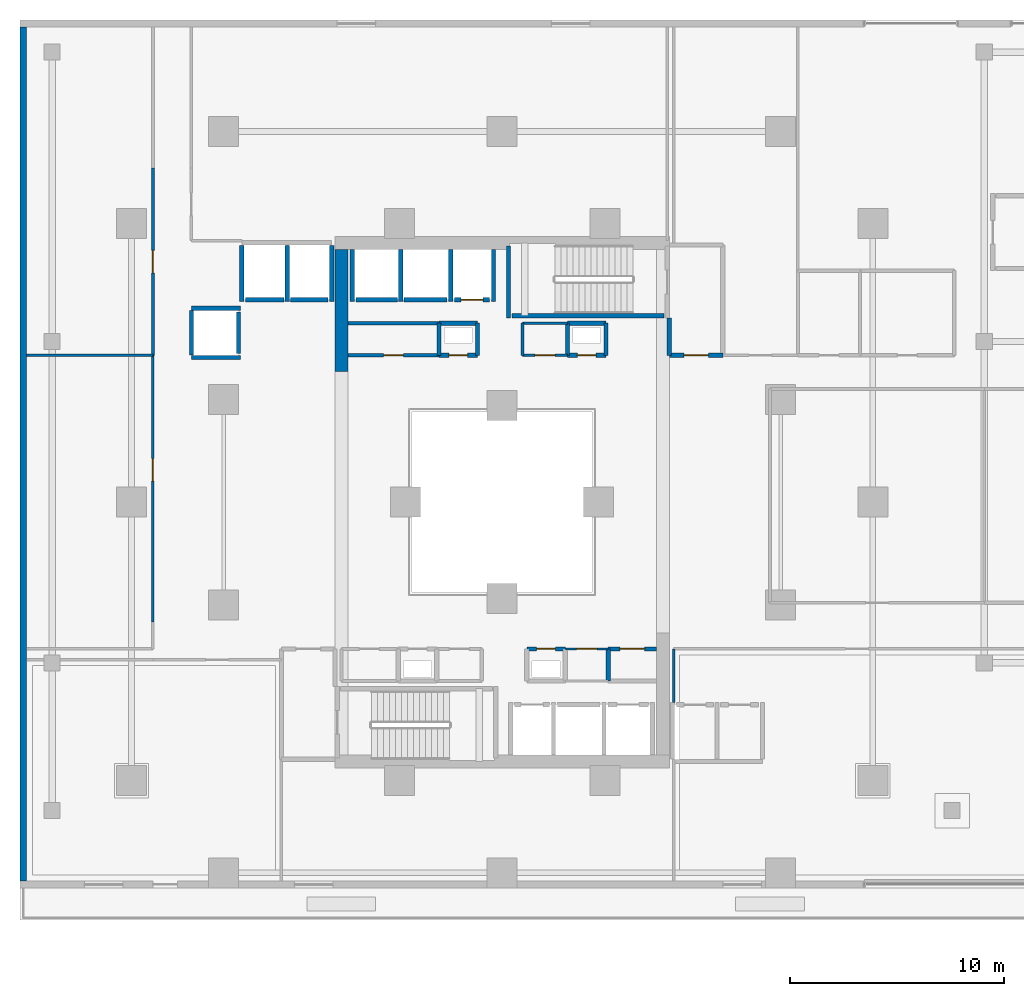
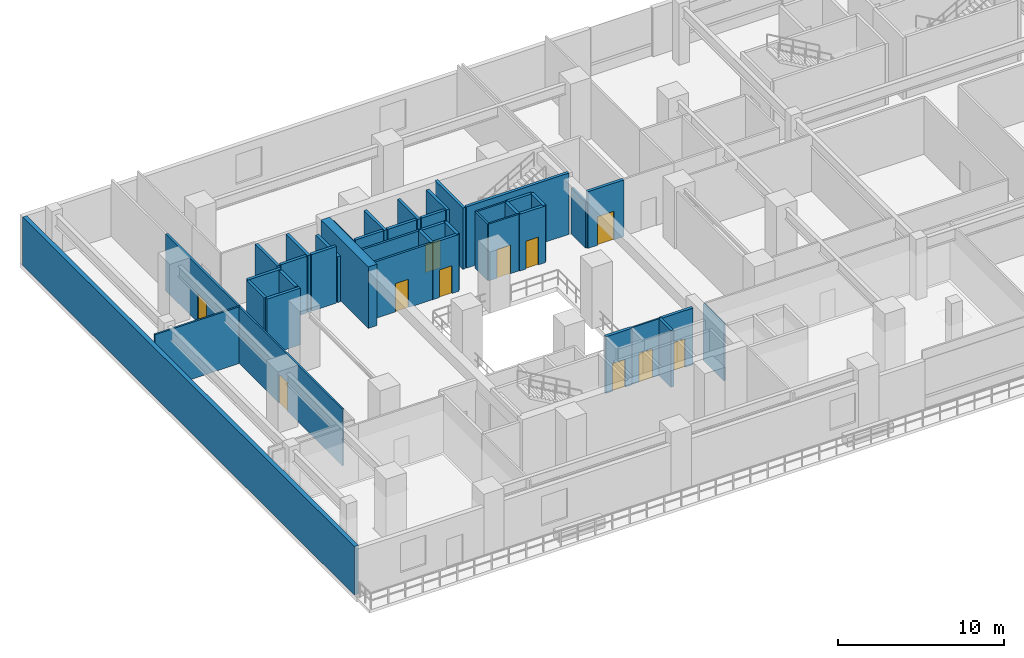
# One storey, part 13 of 24: 43 walls, 11 doors, 11 openings.
"""IFC4 building model written with IfcOpenShell, lengths in metres."""

from ifc_helpers import new_model, si_unit, direction, frame, frame_2d, origin, place, context, subcontext, project, spatial, rectangle, extrude, material, layer, layer_set, type_object, element, fill, save


model = new_model("IFC4")

# Units and contexts
model_context = context("Model", 3, precision=1e-05, world=origin(), true_north=direction((0.0, 1.0)))
body_context = subcontext(model_context, "Body", "Model", "MODEL_VIEW")
ifc_project = project(units=[si_unit("LENGTHUNIT", "METRE"), si_unit("AREAUNIT", "SQUARE_METRE"), si_unit("VOLUMEUNIT", "CUBIC_METRE"), si_unit("PLANEANGLEUNIT", "RADIAN"), si_unit("MASSUNIT", "GRAM", prefix="KILO")], contexts=[model_context])

# Site, building, storey
site_placement = place(None, origin())
site = spatial("IfcSite", under=ifc_project, at=site_placement, CompositionType="ELEMENT")
building_placement = place(site_placement, origin())
building = spatial("IfcBuilding", under=site, at=building_placement, Name="Thornwick Lancets Civic Towers", CompositionType="ELEMENT")
storey_placement = place(building_placement, frame((0.0, 0.0, 14.10009765625)))
storey = spatial("IfcBuildingStorey", under=building, at=storey_placement, Name="L03", CompositionType="ELEMENT", Elevation=14.10009765625)

# Wall, opening, door
ifc_material_1 = material(Name="Concrete blockwork C40/50", Category="masonry")
ifc_layer_1 = layer(ifc_material_1, 0.199951171875, Name="Concrete blockwork C40/50")
ifc_layer_set_1 = layer_set([ifc_layer_1], Name="Concrete blockwork C40/50")
wall_type_1 = type_object("IfcWallType", Name="WALL_COMP_200", PredefinedType="STANDARD", material=ifc_layer_set_1)
wall_1_placement = place(storey_placement, frame((24.919921875, 36.449951171875, 0.0), z_axis=(0.0, 0.0, 1.0), x_axis=(-1.0, 0.0, 0.0)))
wall_1 = element("IfcWall", 1, at=wall_1_placement, inside=storey, type_object=wall_type_1, Name="L03 Hoistway Front Wall FL-A2", PredefinedType="STANDARD", context=body_context, shape_type="SweptSolid", body=[
    extrude(rectangle(XDim=1.639892578125, YDim=0.199951171875, at=frame_2d((0.81982421875, 0.0))), origin(), (0.0, 0.0, 1.0), 4.159912109375),
])
opening_1_placement = place(wall_1_placement, frame((0.31005859375, 0.0, 0.0)))
opening_1 = element("IfcOpeningElement", 2, at=opening_1_placement, cuts=wall_1, Name="Opening LD-FL-A2", PredefinedType="OPENING", context=body_context, shape_type="SweptSolid", body=[
    extrude(rectangle(XDim=1.02001953125, YDim=2.06005859375, at=frame_2d((0.510009765625, 1.030029296875))), frame((0.0, 0.10986328125, 0.0), z_axis=(0.0, -1.0, 0.0), x_axis=(1.0, 0.0, 0.0)), (0.0, 0.0, 1.0), 0.219970703125),
])
ifc_material_2 = material(Name="Brushed bronze stainless steel", Category="steel")
door_type_1 = type_object("IfcDoorType", Name="DOOR_LIFT_SLIDE", OperationType="SLIDING_TO_LEFT", PredefinedType="DOOR", material=ifc_material_2)
door_1_placement = place(opening_1_placement, origin())
door_1 = element("IfcDoor", 3, at=door_1_placement, inside=storey, type_object=door_type_1, Name="L03 Sliding Lift Landing Door LD-FL-A2", OperationType="SLIDING_TO_LEFT", OverallHeight=2.06005859375, OverallWidth=1.02001953125, PredefinedType="DOOR", context=body_context, shape_type="SweptSolid", body=[
    extrude(rectangle(XDim=1.02001953125, YDim=2.06005859375, at=frame_2d((0.510009765625, 1.030029296875))), frame((0.0, 0.02490234375, 0.0), z_axis=(0.0, -1.0, 0.0), x_axis=(1.0, 0.0, 0.0)), (0.0, 0.0, 1.0), 0.050048828125),
])
fill(opening_1, door_1)

# Walls
wall_2_placement = place(storey_placement, frame((22.919921875, 36.449951171875, 0.0), z_axis=(0.0, 0.0, 1.0), x_axis=(-1.0, 0.0, 0.0)))
element("IfcWall", 4, at=wall_2_placement, inside=storey, type_object=wall_type_1, Name="L03 Hoistway Front Wall PL-AH2", PredefinedType="STANDARD", context=body_context, shape_type="SweptSolid", body=[
    extrude(rectangle(XDim=1.989990234375, YDim=0.199951171875, at=frame_2d((0.9951171875, 0.0))), origin(), (0.0, 0.0, 1.0), 4.159912109375),
])
wall_3_placement = place(storey_placement, frame((20.6201171875, 36.449951171875, 0.0), z_axis=(0.0, 0.0, 1.0), x_axis=(-1.0, 0.0, 0.0)))
element("IfcWall", 5, at=wall_3_placement, inside=storey, type_object=wall_type_1, Name="L03 Hoistway Front Wall PL-AH3", PredefinedType="STANDARD", context=body_context, shape_type="SweptSolid", body=[
    extrude(rectangle(XDim=1.940185546875, YDim=0.199951171875, at=frame_2d((0.97021484375, 0.0))), origin(), (0.0, 0.0, 1.0), 4.159912109375),
])
wall_4_placement = place(storey_placement, frame((17.3701171875, 36.449951171875, 0.0), z_axis=(0.0, 0.0, 1.0), x_axis=(-1.0, 0.0, 0.0)))
element("IfcWall", 6, at=wall_4_placement, inside=storey, type_object=wall_type_1, Name="L03 Hoistway Front Wall PL-AM1", PredefinedType="STANDARD", context=body_context, shape_type="SweptSolid", body=[
    extrude(rectangle(XDim=1.740234375, YDim=0.199951171875, at=frame_2d((0.8701171875, 0.0))), origin(), (0.0, 0.0, 1.0), 4.159912109375),
])
wall_5_placement = place(storey_placement, frame((15.320068359375, 36.449951171875, 0.0), z_axis=(0.0, 0.0, 1.0), x_axis=(-1.0, 0.0, 0.0)))
element("IfcWall", 7, at=wall_5_placement, inside=storey, type_object=wall_type_1, Name="L03 Hoistway Front Wall PL-AM2", PredefinedType="STANDARD", context=body_context, shape_type="SweptSolid", body=[
    extrude(rectangle(XDim=1.7900390625, YDim=0.199951171875, at=frame_2d((0.89501953125, 0.0))), origin(), (0.0, 0.0, 1.0), 4.159912109375),
])
wall_6_placement = place(storey_placement, frame((13.199951171875, 33.929931640625, 0.0), z_axis=(0.0, 0.0, 1.0), x_axis=(0.0, 1.0, 0.0)))
element("IfcWall", 8, at=wall_6_placement, inside=storey, type_object=wall_type_1, Name="L03 Hoistway Front Wall PL-AM3", PredefinedType="STANDARD", context=body_context, shape_type="SweptSolid", body=[
    extrude(rectangle(XDim=1.940185546875, YDim=0.199951171875, at=frame_2d((0.97021484375, 0.0))), origin(), (0.0, 0.0, 1.0), 4.159912109375),
])
for number, where, z_axis, x_axis, name in (
    (9, (25.10009765625, 36.35205078125, 0.0), (0.0, 0.0, 1.0), (0.0, 1.0, 0.0), "L03 Hoistway Shaft Wall FL-A2 E"),
    (10, (23.10009765625, 36.35205078125, 0.0), (0.0, 0.0, 1.0), (0.0, 1.0, 0.0), "L03 Hoistway Shaft Wall FL-A2 W"),
    (11, (20.77490234375, 36.35205078125, 0.0), (0.0, 0.0, 1.0), (0.0, 1.0, 0.0), "L03 Hoistway Shaft Wall PL-AH2 W"),
    (12, (18.5, 36.35205078125, 0.0), (0.0, 0.0, 1.0), (0.0, 1.0, 0.0), "L03 Hoistway Shaft Wall PL-AH3 W"),
):
    element("IfcWall", number, at=place(storey_placement, frame(where, z_axis=z_axis, x_axis=x_axis)), inside=storey, type_object=wall_type_1, Name=name, PredefinedType="STANDARD", context=body_context, shape_type="SweptSolid", body=[
        extrude(rectangle(XDim=2.43603515625, YDim=0.199951171875, at=frame_2d((1.218017578125, 0.0))), origin(), (0.0, 0.0, 1.0), 4.159912109375),
    ])
wall_7_placement = place(storey_placement, frame((17.550048828125, 36.35205078125, 0.0), z_axis=(0.0, 0.0, 1.0), x_axis=(0.0, 1.0, 0.0)))
element("IfcWall", 13, at=wall_7_placement, inside=storey, type_object=wall_type_1, Name="L03 Hoistway Shaft Wall PL-AM1 E", PredefinedType="STANDARD", context=body_context, shape_type="SweptSolid", body=[
    extrude(rectangle(XDim=2.635986328125, YDim=0.199951171875, at=frame_2d((1.31787109375, 0.0))), origin(), (0.0, 0.0, 1.0), 3.364990234375),
])
for number, where, z_axis, x_axis, name in (
    (14, (15.47509765625, 36.35205078125, 0.0), (0.0, 0.0, 1.0), (0.0, 1.0, 0.0), "L03 Hoistway Shaft Wall PL-AM1 W"),
    (15, (13.35009765625, 36.35205078125, 0.0), (0.0, 0.0, 1.0), (0.0, 1.0, 0.0), "L03 Hoistway Shaft Wall PL-AM2 W"),
):
    element("IfcWall", number, at=place(storey_placement, frame(where, z_axis=z_axis, x_axis=x_axis)), inside=storey, type_object=wall_type_1, Name=name, PredefinedType="STANDARD", context=body_context, shape_type="SweptSolid", body=[
        extrude(rectangle(XDim=2.635986328125, YDim=0.199951171875, at=frame_2d((1.31787109375, 0.0))), origin(), (0.0, 0.0, 1.0), 4.159912109375),
    ])
for number, where, z_axis, x_axis, name in (
    (16, (11.001953125, 36.050048828125, 0.0), (0.0, 0.0, 1.0), (1.0, 0.0, 0.0), "L03 Hoistway Shaft Wall PL-AM3 N"),
    (17, (11.001953125, 33.75, 0.0), (0.0, 0.0, 1.0), (1.0, 0.0, 0.0), "L03 Hoistway Shaft Wall PL-AM3 S"),
):
    element("IfcWall", number, at=place(storey_placement, frame(where, z_axis=z_axis, x_axis=x_axis)), inside=storey, type_object=wall_type_1, Name=name, PredefinedType="STANDARD", context=body_context, shape_type="SweptSolid", body=[
        extrude(rectangle(XDim=2.296142578125, YDim=0.199951171875, at=frame_2d((1.14794921875, 0.0))), origin(), (0.0, 0.0, 1.0), 4.159912109375),
    ])
wall_8_placement = place(storey_placement, frame((11.0, 33.862060546875, 0.0), z_axis=(0.0, 0.0, 1.0), x_axis=(0.0, 1.0, 0.0)))
element("IfcWall", 18, at=wall_8_placement, inside=storey, type_object=wall_type_1, Name="L03 Hoistway Shaft Wall PL-AM3 W", PredefinedType="STANDARD", context=body_context, shape_type="SweptSolid", body=[
    extrude(rectangle(XDim=2.075927734375, YDim=0.199951171875, at=frame_2d((1.0380859375, 0.0))), origin(), (0.0, 0.0, 1.0), 4.159912109375),
])

# Wall, opening, door
wall_9_placement = place(storey_placement, frame((33.300048828125, 33.85009765625, 0.0), z_axis=(0.0, 0.0, 1.0), x_axis=(1.0, 0.0, 0.0)))
wall_9 = element("IfcWall", 19, at=wall_9_placement, inside=storey, type_object=wall_type_1, Name="L03 Partition L03-A-FFLOB2 E1", PredefinedType="STANDARD", context=body_context, shape_type="SweptSolid", body=[
    extrude(rectangle(XDim=2.5, YDim=0.199951171875, at=frame_2d((1.25, 0.0))), origin(), (0.0, 0.0, 1.0), 4.159912109375),
])
opening_2_placement = place(wall_9_placement, frame((0.675048828125, 0.0, 0.0)))
opening_2 = element("IfcOpeningElement", 20, at=opening_2_placement, cuts=wall_9, Name="Opening D-L03-0186", PredefinedType="OPENING", context=body_context, shape_type="SweptSolid", body=[
    extrude(rectangle(XDim=1.14990234375, YDim=2.10009765625, at=frame_2d((0.574951171875, 1.050048828125))), frame((0.0, 0.10986328125, 0.0), z_axis=(0.0, -1.0, 0.0), x_axis=(1.0, 0.0, 0.0)), (0.0, 0.0, 1.0), 0.219970703125),
])
ifc_material_3 = material(Name="Glazed fire-resisting steel", Category="steel")
door_type_2 = type_object("IfcDoorType", Name="DOOR_LOBBY_FD60", OperationType="NOTDEFINED", PredefinedType="DOOR", material=ifc_material_3)
door_2_placement = place(opening_2_placement, origin())
door_2 = element("IfcDoor", 21, at=door_2_placement, inside=storey, type_object=door_type_2, Name="L03 North Firefighting Lobby 2 Door", OperationType="SINGLE_SWING_LEFT", OverallHeight=2.10009765625, OverallWidth=1.14990234375, PredefinedType="DOOR", context=body_context, shape_type="SweptSolid", body=[
    extrude(rectangle(XDim=1.14990234375, YDim=2.10009765625, at=frame_2d((0.574951171875, 1.050048828125))), frame((0.0, 0.02490234375, 0.0), z_axis=(0.0, -1.0, 0.0), x_axis=(1.0, 0.0, 0.0)), (0.0, 0.0, 1.0), 0.050048828125),
])
fill(opening_2, door_2)

# Wall
wall_10_placement = place(storey_placement, frame((33.300048828125, 35.60009765625, 0.0), z_axis=(0.0, 0.0, 1.0), x_axis=(0.0, -1.0, 0.0)))
element("IfcWall", 22, at=wall_10_placement, inside=storey, type_object=wall_type_1, Name="L03 Partition L03-A-FFLOB2 E4", PredefinedType="STANDARD", context=body_context, shape_type="SweptSolid", body=[
    extrude(rectangle(XDim=1.75, YDim=0.199951171875, at=frame_2d((0.875, 0.0))), origin(), (0.0, 0.0, 1.0), 3.364990234375),
])

# Wall, opening, door
wall_11_placement = place(storey_placement, frame((28.449951171875, 20.14990234375, 0.0), z_axis=(0.0, 0.0, 1.0), x_axis=(-1.0, 0.0, 0.0)))
wall_11 = element("IfcWall", 23, at=wall_11_placement, inside=storey, type_object=wall_type_1, Name="L03 Partition L03-A-DUCT1 E3", PredefinedType="STANDARD", context=body_context, shape_type="SweptSolid", body=[
    extrude(rectangle(XDim=1.800048828125, YDim=0.199951171875, at=frame_2d((0.89990234375, 0.0))), origin(), (0.0, 0.0, 1.0), 4.159912109375),
])
opening_3_placement = place(wall_11_placement, frame((0.4599609375, 0.0, 0.0)))
opening_3 = element("IfcOpeningElement", 24, at=opening_3_placement, cuts=wall_11, Name="Opening D-L03-0187", PredefinedType="OPENING", context=body_context, shape_type="SweptSolid", body=[
    extrude(rectangle(XDim=0.8798828125, YDim=2.0400390625, at=frame_2d((0.43994140625, 1.02001953125))), frame((0.0, 0.10986328125, 0.0), z_axis=(0.0, -1.0, 0.0), x_axis=(1.0, 0.0, 0.0)), (0.0, 0.0, 1.0), 0.219970703125),
])
ifc_material_4 = material(Name="Steel riser access doorset", Category="steel")
door_type_3 = type_object("IfcDoorType", Name="DOOR_RISER_850", OperationType="NOTDEFINED", PredefinedType="DOOR", material=ifc_material_4)
door_3_placement = place(opening_3_placement, origin())
door_3 = element("IfcDoor", 25, at=door_3_placement, inside=storey, type_object=door_type_3, Name="L03 South Service Duct 1 Door", OperationType="SINGLE_SWING_RIGHT", OverallHeight=2.0400390625, OverallWidth=0.8798828125, PredefinedType="DOOR", context=body_context, shape_type="SweptSolid", body=[
    extrude(rectangle(XDim=0.8798828125, YDim=2.0400390625, at=frame_2d((0.43994140625, 1.02001953125))), frame((0.0, 0.02490234375, 0.0), z_axis=(0.0, -1.0, 0.0), x_axis=(1.0, 0.0, 0.0)), (0.0, 0.0, 1.0), 0.050048828125),
])
fill(opening_3, door_3)

wall_12_placement = place(storey_placement, frame((22.550048828125, 33.85009765625, 0.0), z_axis=(0.0, 0.0, 1.0), x_axis=(1.0, 0.0, 0.0)))
wall_12 = element("IfcWall", 26, at=wall_12_placement, inside=storey, type_object=wall_type_1, Name="L03 Partition L03-A-DUCT2 E1", PredefinedType="STANDARD", context=body_context, shape_type="SweptSolid", body=[
    extrude(rectangle(XDim=1.800048828125, YDim=0.199951171875, at=frame_2d((0.89990234375, 0.0))), origin(), (0.0, 0.0, 1.0), 4.159912109375),
])
opening_4_placement = place(wall_12_placement, frame((0.4599609375, 0.0, 0.0)))
opening_4 = element("IfcOpeningElement", 27, at=opening_4_placement, cuts=wall_12, Name="Opening D-L03-0189", PredefinedType="OPENING", context=body_context, shape_type="SweptSolid", body=[
    extrude(rectangle(XDim=0.8798828125, YDim=2.0400390625, at=frame_2d((0.43994140625, 1.02001953125))), frame((0.0, 0.10986328125, 0.0), z_axis=(0.0, -1.0, 0.0), x_axis=(1.0, 0.0, 0.0)), (0.0, 0.0, 1.0), 0.219970703125),
])
door_4_placement = place(opening_4_placement, origin())
door_4 = element("IfcDoor", 28, at=door_4_placement, inside=storey, type_object=door_type_3, Name="L03 North Service Duct 2 Door", OperationType="SINGLE_SWING_RIGHT", OverallHeight=2.0400390625, OverallWidth=0.8798828125, PredefinedType="DOOR", context=body_context, shape_type="SweptSolid", body=[
    extrude(rectangle(XDim=0.8798828125, YDim=2.0400390625, at=frame_2d((0.43994140625, 1.02001953125))), frame((0.0, 0.02490234375, 0.0), z_axis=(0.0, -1.0, 0.0), x_axis=(1.0, 0.0, 0.0)), (0.0, 0.0, 1.0), 0.050048828125),
])
fill(opening_4, door_4)

# Walls
wall_13_placement = place(storey_placement, frame((24.35009765625, 33.85009765625, 0.0), z_axis=(0.0, 0.0, 1.0), x_axis=(0.0, 1.0, 0.0)))
element("IfcWall", 29, at=wall_13_placement, inside=storey, type_object=wall_type_1, Name="L03 Partition L03-A-DUCT2 E2", PredefinedType="STANDARD", context=body_context, shape_type="SweptSolid", body=[
    extrude(rectangle(XDim=1.5, YDim=0.199951171875, at=frame_2d((0.75, 0.0))), origin(), (0.0, 0.0, 1.0), 4.159912109375),
])
wall_14_placement = place(storey_placement, frame((24.35009765625, 35.35009765625, 0.0), z_axis=(0.0, 0.0, 1.0), x_axis=(-1.0, 0.0, 0.0)))
element("IfcWall", 30, at=wall_14_placement, inside=storey, type_object=wall_type_1, Name="L03 Partition L03-A-DUCT2 E3", PredefinedType="STANDARD", context=body_context, shape_type="SweptSolid", body=[
    extrude(rectangle(XDim=1.800048828125, YDim=0.199951171875, at=frame_2d((0.89990234375, 0.0))), origin(), (0.0, 0.0, 1.0), 4.159912109375),
])
wall_15_placement = place(storey_placement, frame((22.550048828125, 35.35009765625, 0.0), z_axis=(0.0, 0.0, 1.0), x_axis=(0.0, -1.0, 0.0)))
element("IfcWall", 31, at=wall_15_placement, inside=storey, type_object=wall_type_1, Name="L03 Partition L03-A-DUCT2 E4", PredefinedType="STANDARD", context=body_context, shape_type="SweptSolid", body=[
    extrude(rectangle(XDim=1.5, YDim=0.199951171875, at=frame_2d((0.75, 0.0))), origin(), (0.0, 0.0, 1.0), 4.159912109375),
])

# Wall, opening, door
wall_16_placement = place(storey_placement, frame((28.550048828125, 33.85009765625, 0.0), z_axis=(0.0, 0.0, 1.0), x_axis=(1.0, 0.0, 0.0)))
wall_16 = element("IfcWall", 32, at=wall_16_placement, inside=storey, type_object=wall_type_1, Name="L03 Partition L03-A-RISER2 E1", PredefinedType="STANDARD", context=body_context, shape_type="SweptSolid", body=[
    extrude(rectangle(XDim=1.800048828125, YDim=0.199951171875, at=frame_2d((0.89990234375, 0.0))), origin(), (0.0, 0.0, 1.0), 4.159912109375),
])
opening_5_placement = place(wall_16_placement, frame((0.4599609375, 0.0, 0.0)))
opening_5 = element("IfcOpeningElement", 33, at=opening_5_placement, cuts=wall_16, Name="Opening D-L03-0190", PredefinedType="OPENING", context=body_context, shape_type="SweptSolid", body=[
    extrude(rectangle(XDim=0.8798828125, YDim=2.0400390625, at=frame_2d((0.43994140625, 1.02001953125))), frame((0.0, 0.10986328125, 0.0), z_axis=(0.0, -1.0, 0.0), x_axis=(1.0, 0.0, 0.0)), (0.0, 0.0, 1.0), 0.219970703125),
])
door_5_placement = place(opening_5_placement, origin())
door_5 = element("IfcDoor", 34, at=door_5_placement, inside=storey, type_object=door_type_3, Name="L03 North Service Riser 2 Door", OperationType="SINGLE_SWING_LEFT", OverallHeight=2.0400390625, OverallWidth=0.8798828125, PredefinedType="DOOR", context=body_context, shape_type="SweptSolid", body=[
    extrude(rectangle(XDim=0.8798828125, YDim=2.0400390625, at=frame_2d((0.43994140625, 1.02001953125))), frame((0.0, 0.02490234375, 0.0), z_axis=(0.0, -1.0, 0.0), x_axis=(1.0, 0.0, 0.0)), (0.0, 0.0, 1.0), 0.050048828125),
])
fill(opening_5, door_5)

# Walls
wall_17_placement = place(storey_placement, frame((30.35009765625, 33.85009765625, 0.0), z_axis=(0.0, 0.0, 1.0), x_axis=(0.0, 1.0, 0.0)))
element("IfcWall", 35, at=wall_17_placement, inside=storey, type_object=wall_type_1, Name="L03 Partition L03-A-RISER2 E2", PredefinedType="STANDARD", context=body_context, shape_type="SweptSolid", body=[
    extrude(rectangle(XDim=1.5, YDim=0.199951171875, at=frame_2d((0.75, 0.0))), origin(), (0.0, 0.0, 1.0), 4.159912109375),
])
wall_18_placement = place(storey_placement, frame((30.35009765625, 35.35009765625, 0.0), z_axis=(0.0, 0.0, 1.0), x_axis=(-1.0, 0.0, 0.0)))
element("IfcWall", 36, at=wall_18_placement, inside=storey, type_object=wall_type_1, Name="L03 Partition L03-A-RISER2 E3", PredefinedType="STANDARD", context=body_context, shape_type="SweptSolid", body=[
    extrude(rectangle(XDim=1.800048828125, YDim=0.199951171875, at=frame_2d((0.89990234375, 0.0))), origin(), (0.0, 0.0, 1.0), 4.159912109375),
])
for number, where, z_axis, x_axis, name in (
    (37, (28.550048828125, 35.35009765625, 0.0), (0.0, 0.0, 1.0), (0.0, -1.0, 0.0), "L03 Partition L03-A-RISER2 E4"),
    (38, (30.449951171875, 18.64990234375, 0.0), (0.0, 0.0, 1.0), (0.0, 1.0, 0.0), "L03 Partition L03-A-ITR2 E3"),
):
    element("IfcWall", number, at=place(storey_placement, frame(where, z_axis=z_axis, x_axis=x_axis)), inside=storey, type_object=wall_type_1, Name=name, PredefinedType="STANDARD", context=body_context, shape_type="SweptSolid", body=[
        extrude(rectangle(XDim=1.5, YDim=0.199951171875, at=frame_2d((0.75, 0.0))), origin(), (0.0, 0.0, 1.0), 4.159912109375),
    ])

# Wall, opening, door
wall_19_placement = place(storey_placement, frame((30.449951171875, 20.14990234375, 0.0), z_axis=(0.0, 0.0, 1.0), x_axis=(1.0, 0.0, 0.0)))
wall_19 = element("IfcWall", 39, at=wall_19_placement, inside=storey, type_object=wall_type_1, Name="L03 Partition L03-A-ITR2 E4", PredefinedType="STANDARD", context=body_context, shape_type="SweptSolid", body=[
    extrude(rectangle(XDim=2.25, YDim=0.199951171875, at=frame_2d((1.125, 0.0))), origin(), (0.0, 0.0, 1.0), 4.159912109375),
])
opening_6_placement = place(wall_19_placement, frame((0.550048828125, 0.0, 0.0)))
opening_6 = element("IfcOpeningElement", 40, at=opening_6_placement, cuts=wall_19, Name="Opening D-L03-0194", PredefinedType="OPENING", context=body_context, shape_type="SweptSolid", body=[
    extrude(rectangle(XDim=1.14990234375, YDim=2.10009765625, at=frame_2d((0.574951171875, 1.050048828125))), frame((0.0, 0.10986328125, 0.0), z_axis=(0.0, -1.0, 0.0), x_axis=(1.0, 0.0, 0.0)), (0.0, 0.0, 1.0), 0.219970703125),
])
door_6_placement = place(opening_6_placement, origin())
door_6 = element("IfcDoor", 41, at=door_6_placement, inside=storey, type_object=door_type_2, Name="L03 Tower A Statutory Core Archive Door", OperationType="SINGLE_SWING_LEFT", OverallHeight=2.10009765625, OverallWidth=1.14990234375, PredefinedType="DOOR", context=body_context, shape_type="SweptSolid", body=[
    extrude(rectangle(XDim=1.14990234375, YDim=2.10009765625, at=frame_2d((0.574951171875, 1.050048828125))), frame((0.0, 0.02490234375, 0.0), z_axis=(0.0, -1.0, 0.0), x_axis=(1.0, 0.0, 0.0)), (0.0, 0.0, 1.0), 0.050048828125),
])
fill(opening_6, door_6)

# Walls
ifc_material_5 = material(Name="Concrete C60/75", Category="concrete")
ifc_layer_2 = layer(ifc_material_5, 0.60009765625, Name="Concrete C60/75")
ifc_layer_set_2 = layer_set([ifc_layer_2], Name="Concrete C60/75")
wall_type_2 = type_object("IfcWallType", Name="WALL_CORE_600", PredefinedType="SHEAR", material=ifc_layer_set_2)
wall_20_placement = place(storey_placement, frame((18.0, 33.10009765625, 0.0), z_axis=(0.0, 0.0, 1.0), x_axis=(0.0, 1.0, 0.0)))
element("IfcWall", 42, at=wall_20_placement, inside=storey, type_object=wall_type_2, Name="L03 Split Core A2 Shear Wall W", PredefinedType="SHEAR", context=body_context, shape_type="SweptSolid", body=[
    extrude(rectangle(XDim=5.699951171875, YDim=0.60009765625, at=frame_2d((2.85009765625, 0.0))), origin(), (0.0, 0.0, 1.0), 4.5),
])
ifc_material_6 = material(Name="Insulated russet terracotta rainscreen on concrete C40/50", Category="masonry")
ifc_layer_3 = layer(ifc_material_6, 0.300048828125, Name="Insulated russet terracotta rainscreen on concrete C40/50")
ifc_layer_set_3 = layer_set([ifc_layer_3], Name="Insulated russet terracotta rainscreen on concrete C40/50")
wall_type_3 = type_object("IfcWallType", Name="WALL_EXT_RUSSET_300", PredefinedType="STANDARD", material=ifc_layer_set_3)
wall_21_placement = place(storey_placement, frame((3.14990234375, 49.179931640625, 0.0), z_axis=(0.0, 0.0, 1.0), x_axis=(0.0, -1.0, 0.0)))
element("IfcWall", 43, at=wall_21_placement, inside=storey, type_object=wall_type_3, Name="L03 Podium West Facade Wall", PredefinedType="STANDARD", context=body_context, shape_type="SweptSolid", body=[
    extrude(rectangle(XDim=39.85986328125, YDim=0.300048828125, at=frame_2d((19.929931640625, 0.0))), origin(), (0.0, 0.0, 1.0), 3.559814453125),
])

# Wall, opening, door
ifc_material_7 = material(Name="Lightweight cellular office partition")
ifc_layer_4 = layer(ifc_material_7, 0.10009765625, Name="Lightweight cellular office partition")
ifc_layer_set_4 = layer_set([ifc_layer_4], Name="Lightweight cellular office partition")
wall_type_4 = type_object("IfcWallType", Name="WALL_PART_100", PredefinedType="PARTITIONING", material=ifc_layer_set_4)
wall_22_placement = place(storey_placement, frame((28.449951171875, 20.14990234375, 0.0), z_axis=(0.0, 0.0, 1.0), x_axis=(1.0, 0.0, 0.0)))
wall_22 = element("IfcWall", 44, at=wall_22_placement, inside=storey, type_object=wall_type_4, Name="L03 Partition L03-A-CLN E4", PredefinedType="PARTITIONING", context=body_context, shape_type="SweptSolid", body=[
    extrude(rectangle(XDim=2.0, YDim=0.10009765625, at=frame_2d((1.0, 0.0))), origin(), (0.0, 0.0, 1.0), 4.159912109375),
])
opening_7_placement = place(wall_22_placement, frame((0.52490234375, 0.0, 0.0)))
opening_7 = element("IfcOpeningElement", 45, at=opening_7_placement, cuts=wall_22, Name="Opening D-L03-0193", PredefinedType="OPENING", context=body_context, shape_type="SweptSolid", body=[
    extrude(rectangle(XDim=0.949951171875, YDim=2.10009765625, at=frame_2d((0.47509765625, 1.050048828125))), frame((0.0, 0.06005859375, 0.0), z_axis=(0.0, -1.0, 0.0), x_axis=(1.0, 0.0, 0.0)), (0.0, 0.0, 1.0), 0.1201171875),
])
ifc_material_8 = material(Name="European oak acoustic doorset")
door_type_4 = type_object("IfcDoorType", Name="DOOR_OFFICE_950", OperationType="NOTDEFINED", PredefinedType="DOOR", material=ifc_material_8)
door_7_placement = place(opening_7_placement, origin())
door_7 = element("IfcDoor", 46, at=door_7_placement, inside=storey, type_object=door_type_4, Name="L03 Tower A Cleaners Store Door", OperationType="SINGLE_SWING_RIGHT", OverallHeight=2.10009765625, OverallWidth=0.949951171875, PredefinedType="DOOR", context=body_context, shape_type="SweptSolid", body=[
    extrude(rectangle(XDim=0.949951171875, YDim=2.10009765625, at=frame_2d((0.47509765625, 1.050048828125))), frame((0.0, 0.02490234375, 0.0), z_axis=(0.0, -1.0, 0.0), x_axis=(1.0, 0.0, 0.0)), (0.0, 0.0, 1.0), 0.050048828125),
])
fill(opening_7, door_7)

# Walls
ifc_material_9 = material(Name="Acoustic gypsum board partition")
ifc_layer_5 = layer(ifc_material_9, 0.1201171875, Name="Acoustic gypsum board partition")
ifc_layer_set_5 = layer_set([ifc_layer_5], Name="Acoustic gypsum board partition")
wall_type_5 = type_object("IfcWallType", Name="WALL_PART_120", PredefinedType="PARTITIONING", material=ifc_layer_set_5)
wall_23_placement = place(storey_placement, frame((26.449951171875, 33.85009765625, 0.0), z_axis=(0.0, 0.0, 1.0), x_axis=(0.0, 1.0, 0.0)))
element("IfcWall", 47, at=wall_23_placement, inside=storey, type_object=wall_type_5, Name="L03 Partition L03-A-ITR E1", PredefinedType="PARTITIONING", context=body_context, shape_type="SweptSolid", body=[
    extrude(rectangle(XDim=1.5, YDim=0.1201171875, at=frame_2d((0.75, 0.0))), origin(), (0.0, 0.0, 1.0), 4.159912109375),
])
wall_24_placement = place(storey_placement, frame((26.449951171875, 35.35009765625, 0.0), z_axis=(0.0, 0.0, 1.0), x_axis=(1.0, 0.0, 0.0)))
element("IfcWall", 48, at=wall_24_placement, inside=storey, type_object=wall_type_5, Name="L03 Partition L03-A-ITR E2", PredefinedType="PARTITIONING", context=body_context, shape_type="SweptSolid", body=[
    extrude(rectangle(XDim=2.10009765625, YDim=0.1201171875, at=frame_2d((1.050048828125, 0.0))), origin(), (0.0, 0.0, 1.0), 4.159912109375),
])

# Wall, opening, door
wall_25_placement = place(storey_placement, frame((28.550048828125, 33.85009765625, 0.0), z_axis=(0.0, 0.0, 1.0), x_axis=(-1.0, 0.0, 0.0)))
wall_25 = element("IfcWall", 49, at=wall_25_placement, inside=storey, type_object=wall_type_5, Name="L03 Partition L03-A-ITR E4", PredefinedType="PARTITIONING", context=body_context, shape_type="SweptSolid", body=[
    extrude(rectangle(XDim=2.10009765625, YDim=0.1201171875, at=frame_2d((1.050048828125, 0.0))), origin(), (0.0, 0.0, 1.0), 4.159912109375),
])
opening_8_placement = place(wall_25_placement, frame((0.574951171875, 0.0, 0.0)))
opening_8 = element("IfcOpeningElement", 50, at=opening_8_placement, cuts=wall_25, Name="Opening D-L03-0196", PredefinedType="OPENING", context=body_context, shape_type="SweptSolid", body=[
    extrude(rectangle(XDim=0.949951171875, YDim=2.10009765625, at=frame_2d((0.47509765625, 1.050048828125))), frame((0.0, 0.070068359375, 0.0), z_axis=(0.0, -1.0, 0.0), x_axis=(1.0, 0.0, 0.0)), (0.0, 0.0, 1.0), 0.14013671875),
])
door_8_placement = place(opening_8_placement, origin())
door_8 = element("IfcDoor", 51, at=door_8_placement, inside=storey, type_object=door_type_4, Name="L03 Tower A Comms Patch Room Door", OperationType="SINGLE_SWING_LEFT", OverallHeight=2.10009765625, OverallWidth=0.949951171875, PredefinedType="DOOR", context=body_context, shape_type="SweptSolid", body=[
    extrude(rectangle(XDim=0.949951171875, YDim=2.10009765625, at=frame_2d((0.47509765625, 1.050048828125))), frame((0.0, 0.02490234375, 0.0), z_axis=(0.0, -1.0, 0.0), x_axis=(1.0, 0.0, 0.0)), (0.0, 0.0, 1.0), 0.050048828125),
])
fill(opening_8, door_8)

# Walls
wall_26_placement = place(storey_placement, frame((33.5, 17.64794921875, 0.0), z_axis=(0.0, 0.0, 1.0), x_axis=(0.0, 1.0, 0.0)))
element("IfcWall", 52, at=wall_26_placement, inside=storey, type_object=wall_type_5, Name="L03 Partition L03-RECEP E2", PredefinedType="PARTITIONING", context=body_context, shape_type="SweptSolid", body=[
    extrude(rectangle(XDim=2.501953125, YDim=0.1201171875, at=frame_2d((1.2509765625, 0.0))), origin(), (0.0, 0.0, 1.0), 4.159912109375),
])
wall_27_placement = place(storey_placement, frame((3.300048828125, 33.85009765625, 0.0), z_axis=(0.0, 0.0, 1.0), x_axis=(1.0, 0.0, 0.0)))
element("IfcWall", 53, at=wall_27_placement, inside=storey, type_object=wall_type_5, Name="L03 Partition L03-WSUITE E2", PredefinedType="PARTITIONING", context=body_context, shape_type="SweptSolid", body=[
    extrude(rectangle(XDim=5.89990234375, YDim=0.1201171875, at=frame_2d((2.949951171875, 0.0))), origin(), (0.0, 0.0, 1.0), 4.159912109375),
])

# Wall, opening, door
wall_28_placement = place(storey_placement, frame((9.199951171875, 33.85009765625, 0.0), z_axis=(0.0, 0.0, 1.0), x_axis=(0.0, -1.0, 0.0)))
wall_28 = element("IfcWall", 54, at=wall_28_placement, inside=storey, type_object=wall_type_5, Name="L03 Partition L03-WSUITE E3", PredefinedType="PARTITIONING", context=body_context, shape_type="SweptSolid", body=[
    extrude(rectangle(XDim=12.4501953125, YDim=0.1201171875, at=frame_2d((6.22509765625, 0.0))), origin(), (0.0, 0.0, 1.0), 4.159912109375),
])
opening_9_placement = place(wall_28_placement, frame((4.820068359375, 0.0, 0.0)))
opening_9 = element("IfcOpeningElement", 55, at=opening_9_placement, cuts=wall_28, Name="Opening D-L03-0217", PredefinedType="OPENING", context=body_context, shape_type="SweptSolid", body=[
    extrude(rectangle(XDim=1.050048828125, YDim=2.10009765625, at=frame_2d((0.52490234375, 1.050048828125))), frame((0.0, 0.070068359375, 0.0), z_axis=(0.0, -1.0, 0.0), x_axis=(1.0, 0.0, 0.0)), (0.0, 0.0, 1.0), 0.14013671875),
])
ifc_material_10 = material(Name="Glazed European oak executive doorset")
door_type_5 = type_object("IfcDoorType", Name="DOOR_OFFICE_1050", OperationType="NOTDEFINED", PredefinedType="DOOR", material=ifc_material_10)
door_9_placement = place(opening_9_placement, origin())
door_9 = element("IfcDoor", 56, at=door_9_placement, inside=storey, type_object=door_type_5, Name="L03 West Policy Research Office Door", OperationType="SINGLE_SWING_RIGHT", OverallHeight=2.10009765625, OverallWidth=1.050048828125, PredefinedType="DOOR", context=body_context, shape_type="SweptSolid", body=[
    extrude(rectangle(XDim=1.050048828125, YDim=2.10009765625, at=frame_2d((0.52490234375, 1.050048828125))), frame((0.0, 0.02490234375, 0.0), z_axis=(0.0, -1.0, 0.0), x_axis=(1.0, 0.0, 0.0)), (0.0, 0.0, 1.0), 0.050048828125),
])
fill(opening_9, door_9)

# Wall
ifc_material_11 = material(Name="Twin-stud acoustic gypsum board")
ifc_layer_6 = layer(ifc_material_11, 0.14990234375, Name="Twin-stud acoustic gypsum board")
ifc_layer_set_6 = layer_set([ifc_layer_6], Name="Twin-stud acoustic gypsum board")
wall_type_6 = type_object("IfcWallType", Name="WALL_PART_150", PredefinedType="PARTITIONING", material=ifc_layer_set_6)
wall_29_placement = place(storey_placement, frame((18.300048828125, 35.35009765625, 0.0), z_axis=(0.0, 0.0, 1.0), x_axis=(1.0, 0.0, 0.0)))
element("IfcWall", 57, at=wall_29_placement, inside=storey, type_object=wall_type_6, Name="L03 Partition L03-A-FWC E2", PredefinedType="PARTITIONING", context=body_context, shape_type="SweptSolid", body=[
    extrude(rectangle(XDim=4.25, YDim=0.14990234375, at=frame_2d((2.125, 0.0))), origin(), (0.0, 0.0, 1.0), 4.159912109375),
])

# Wall, opening, door
wall_30_placement = place(storey_placement, frame((22.550048828125, 33.85009765625, 0.0), z_axis=(0.0, 0.0, 1.0), x_axis=(-1.0, 0.0, 0.0)))
wall_30 = element("IfcWall", 58, at=wall_30_placement, inside=storey, type_object=wall_type_6, Name="L03 Partition L03-A-FWC E4", PredefinedType="PARTITIONING", context=body_context, shape_type="SweptSolid", body=[
    extrude(rectangle(XDim=4.25, YDim=0.14990234375, at=frame_2d((2.125, 0.0))), origin(), (0.0, 0.0, 1.0), 4.159912109375),
])
opening_10_placement = place(wall_30_placement, frame((1.6650390625, 0.0, 0.0)))
opening_10 = element("IfcOpeningElement", 59, at=opening_10_placement, cuts=wall_30, Name="Opening D-L03-0195", PredefinedType="OPENING", context=body_context, shape_type="SweptSolid", body=[
    extrude(rectangle(XDim=0.919921875, YDim=2.080078125, at=frame_2d((0.4599609375, 1.0400390625))), frame((0.0, 0.0849609375, 0.0), z_axis=(0.0, -1.0, 0.0), x_axis=(1.0, 0.0, 0.0)), (0.0, 0.0, 1.0), 0.169921875),
])
ifc_material_12 = material(Name="Moisture-resistant oak doorset")
door_type_6 = type_object("IfcDoorType", Name="DOOR_WC_900", OperationType="NOTDEFINED", PredefinedType="DOOR", material=ifc_material_12)
door_10_placement = place(opening_10_placement, origin())
door_10 = element("IfcDoor", 60, at=door_10_placement, inside=storey, type_object=door_type_6, Name="L03 Tower A Female WC Door", OperationType="SINGLE_SWING_RIGHT", OverallHeight=2.080078125, OverallWidth=0.919921875, PredefinedType="DOOR", context=body_context, shape_type="SweptSolid", body=[
    extrude(rectangle(XDim=0.919921875, YDim=2.080078125, at=frame_2d((0.4599609375, 1.0400390625))), frame((0.0, 0.02490234375, 0.0), z_axis=(0.0, -1.0, 0.0), x_axis=(1.0, 0.0, 0.0)), (0.0, 0.0, 1.0), 0.050048828125),
])
fill(opening_10, door_10)

wall_31_placement = place(storey_placement, frame((9.199951171875, 42.60009765625, 0.0), z_axis=(0.0, 0.0, 1.0), x_axis=(0.0, -1.0, 0.0)))
wall_31 = element("IfcWall", 61, at=wall_31_placement, inside=storey, type_object=wall_type_6, Name="L03 Partition L03-REC E4", PredefinedType="PARTITIONING", context=body_context, shape_type="SweptSolid", body=[
    extrude(rectangle(XDim=8.75, YDim=0.14990234375, at=frame_2d((4.375, 0.0))), origin(), (0.0, 0.0, 1.0), 4.159912109375),
])
opening_11_placement = place(wall_31_placement, frame((3.85009765625, 0.0, 0.0)))
opening_11 = element("IfcOpeningElement", 62, at=opening_11_placement, cuts=wall_31, Name="Opening D-L03-0220", PredefinedType="OPENING", context=body_context, shape_type="SweptSolid", body=[
    extrude(rectangle(XDim=1.050048828125, YDim=2.10009765625, at=frame_2d((0.52490234375, 1.050048828125))), frame((0.0, 0.0849609375, 0.0), z_axis=(0.0, -1.0, 0.0), x_axis=(1.0, 0.0, 0.0)), (0.0, 0.0, 1.0), 0.169921875),
])
door_11_placement = place(opening_11_placement, origin())
door_11 = element("IfcDoor", 63, at=door_11_placement, inside=storey, type_object=door_type_5, Name="L03 Departmental Records Archive Door", OperationType="SINGLE_SWING_LEFT", OverallHeight=2.10009765625, OverallWidth=1.050048828125, PredefinedType="DOOR", context=body_context, shape_type="SweptSolid", body=[
    extrude(rectangle(XDim=1.050048828125, YDim=2.10009765625, at=frame_2d((0.52490234375, 1.050048828125))), frame((0.0, 0.02490234375, 0.0), z_axis=(0.0, -1.0, 0.0), x_axis=(1.0, 0.0, 0.0)), (0.0, 0.0, 1.0), 0.050048828125),
])
fill(opening_11, door_11)

# Walls
ifc_material_13 = material(Name="Concrete C40/50", Category="concrete")
ifc_layer_7 = layer(ifc_material_13, 0.199951171875, Name="Concrete C40/50")
ifc_layer_set_7 = layer_set([ifc_layer_7], Name="Concrete C40/50")
wall_type_7 = type_object("IfcWallType", Name="WALL_SHAFT_200", PredefinedType="SHEAR", material=ifc_layer_set_7)
wall_32_placement = place(storey_placement, frame((25.800048828125, 35.60009765625, 0.0), z_axis=(0.0, 0.0, 1.0), x_axis=(0.0, 1.0, 0.0)))
element("IfcWall", 64, at=wall_32_placement, inside=storey, type_object=wall_type_7, Name="L03 ST-A2 Fire Stair Core Wall FAR", PredefinedType="SHEAR", context=body_context, shape_type="SweptSolid", body=[
    extrude(rectangle(XDim=3.349853515625, YDim=0.199951171875, at=frame_2d((1.6748046875, 0.0))), origin(), (0.0, 0.0, 1.0), 4.5),
])
wall_33_placement = place(storey_placement, frame((25.949951171875, 35.702880859375, 0.0), z_axis=(0.0, 0.0, 1.0), x_axis=(1.0, 0.0, 0.0)))
element("IfcWall", 65, at=wall_33_placement, inside=storey, type_object=wall_type_7, Name="L03 ST-A2 Fire Stair Core Wall RIGHT", PredefinedType="SHEAR", context=body_context, shape_type="SweptSolid", body=[
    extrude(rectangle(XDim=7.10009765625, YDim=0.199951171875, at=frame_2d((3.550048828125, 0.0))), origin(), (0.0, 0.0, 1.0), 4.5),
])

save(model, "model.ifc")
